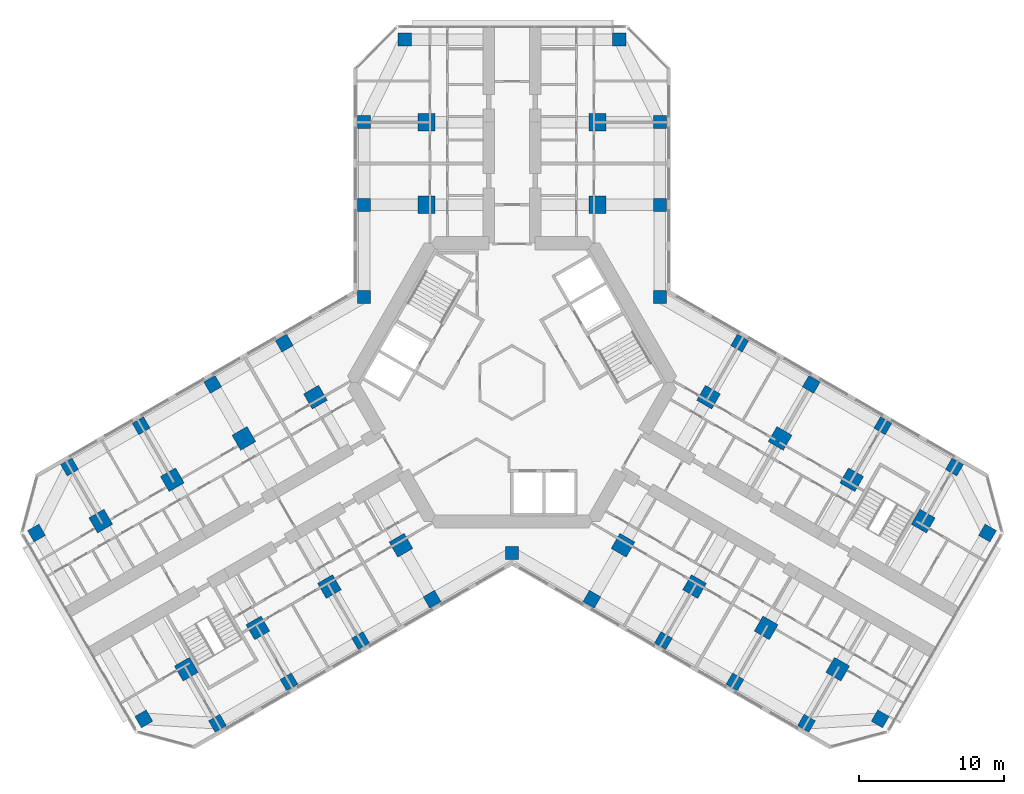
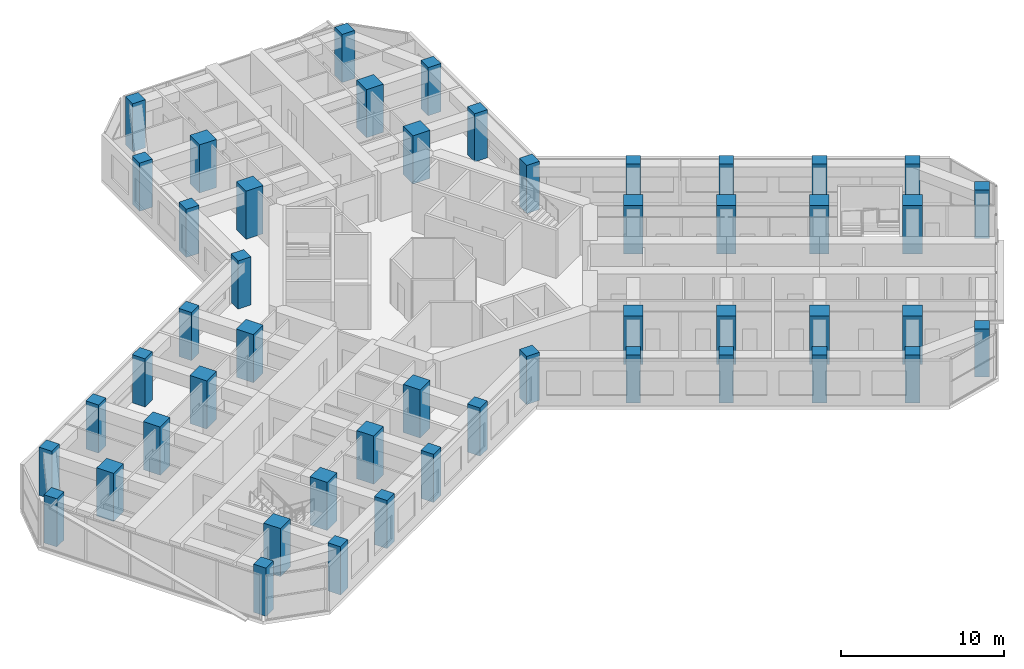
# One storey, part 1 of 19: 49 columns.
"""IFC4 building model written with IfcOpenShell, lengths in metres."""

from ifc_helpers import new_model, si_unit, direction, frame, origin, origin_2d, place, context, subcontext, project, spatial, rectangle, extrude, material, material_profile, profile_set, type_object, element, save


model = new_model("IFC4")

# Units and contexts
model_context = context("Model", 3, precision=1e-05, world=origin(), true_north=direction((0.0, 1.0)))
body_context = subcontext(model_context, "Body", "Model", "MODEL_VIEW")
ifc_project = project(units=[si_unit("LENGTHUNIT", "METRE"), si_unit("AREAUNIT", "SQUARE_METRE"), si_unit("VOLUMEUNIT", "CUBIC_METRE"), si_unit("PLANEANGLEUNIT", "RADIAN"), si_unit("MASSUNIT", "GRAM", prefix="KILO")], contexts=[model_context])

# Site, building, storey
site_placement = place(None, origin())
site = spatial("IfcSite", under=ifc_project, at=site_placement, CompositionType="ELEMENT")
building_placement = place(site_placement, origin())
building = spatial("IfcBuilding", under=site, at=building_placement, Name="Kosmar Iwan School Tower", CompositionType="ELEMENT")
storey_placement = place(building_placement, frame((0.0, 0.0, 172.39990234375)))
storey = spatial("IfcBuildingStorey", under=building, at=storey_placement, Name="L43", CompositionType="ELEMENT", Elevation=172.39990234375)

# Columns
ifc_material_1 = material(Name="Concrete C50/60", Category="concrete")
ifc_material_profile_1 = material_profile(ifc_material_1, rectangle(XDim=0.89990234375, YDim=0.89990234375, at=origin_2d()), Name="RC 900x900 + HD 400x347")
ifc_profile_set_1 = profile_set([ifc_material_profile_1], Name="Concrete C50/60")
column_type_1 = type_object("IfcColumnType", Name="Composite column 900x900 HD 400x347", PredefinedType="COLUMN", material=ifc_profile_set_1)
for number, where, z_axis, x_axis, name in (
    (1, (-10.199951171875, 12.25, 0.0), (0.0, 0.0, 1.0), (0.0, 1.0, 0.0), "Column AL1 L43"),
    (2, (-10.199951171875, 17.949951171875, 0.0), (0.0, 0.0, 1.0), (0.0, 1.0, 0.0), "Column AL2 L43"),
    (3, (-7.39990234375, 23.64990234375, 0.0), (0.0, 0.0, 1.0), (0.0, 1.0, 0.0), "Column ALTIP L43"),
    (4, (10.199951171875, 12.25, 0.0), (0.0, 0.0, 1.0), (0.0, 1.0, 0.0), "Column AR1 L43"),
    (5, (10.199951171875, 17.949951171875, 0.0), (0.0, 0.0, 1.0), (0.0, 1.0, 0.0), "Column AR2 L43"),
    (6, (7.39990234375, 23.64990234375, 0.0), (0.0, 0.0, 1.0), (0.0, 1.0, 0.0), "Column ARTIP L43"),
    (7, (-5.5087890625, -14.95849609375, 0.0), (0.0, 0.0, 1.0), (-0.866025403784, -0.5, 0.0), "Column BL1 L43"),
    (8, (-10.445068359375, -17.808349609375, 0.0), (0.0, 0.0, 1.0), (-0.866025403784, -0.5, 0.0), "Column BL2 L43"),
    (9, (-15.381591796875, -20.658447265625, 0.0), (0.0, 0.0, 1.0), (-0.866025403784, -0.5, 0.0), "Column BL3 L43"),
    (10, (-20.31787109375, -23.508544921875, 0.0), (0.0, 0.0, 1.0), (-0.866025403784, -0.5, 0.0), "Column BL4 L43"),
    (11, (-25.3984375, -23.20849609375, 0.0), (0.0, 0.0, 1.0), (-0.866025403784, -0.5, 0.0), "Column BLTIP L43"),
    (12, (-15.708740234375, 2.70849609375, 0.0), (0.0, 0.0, 1.0), (-0.866025403784, -0.5, 0.0), "Column BR1 L43"),
    (13, (-20.645263671875, -0.1416015625, 0.0), (0.0, 0.0, 1.0), (-0.866025403784, -0.5, 0.0), "Column BR2 L43"),
    (14, (-25.58154296875, -2.991455078125, 0.0), (0.0, 0.0, 1.0), (-0.866025403784, -0.5, 0.0), "Column BR3 L43"),
    (15, (-30.517822265625, -5.841552734375, 0.0), (0.0, 0.0, 1.0), (-0.866025403784, -0.5, 0.0), "Column BR4 L43"),
    (16, (-32.79833984375, -10.391357421875, 0.0), (0.0, 0.0, 1.0), (-0.866025403784, -0.5, 0.0), "Column BRTIP L43"),
    (17, (15.708740234375, 2.70849609375, 0.0), (0.0, 0.0, 1.0), (0.866025403784, -0.5, 0.0), "Column CL1 L43"),
    (18, (20.645263671875, -0.1416015625, 0.0), (0.0, 0.0, 1.0), (0.866025403784, -0.5, 0.0), "Column CL2 L43"),
    (19, (25.58154296875, -2.991455078125, 0.0), (0.0, 0.0, 1.0), (0.866025403784, -0.5, 0.0), "Column CL3 L43"),
    (20, (30.517822265625, -5.841552734375, 0.0), (0.0, 0.0, 1.0), (0.866025403784, -0.5, 0.0), "Column CL4 L43"),
    (21, (32.79833984375, -10.391357421875, 0.0), (0.0, 0.0, 1.0), (0.866025403784, -0.5, 0.0), "Column CLTIP L43"),
    (22, (5.5087890625, -14.95849609375, 0.0), (0.0, 0.0, 1.0), (0.866025403784, -0.5, 0.0), "Column CR1 L43"),
    (23, (10.445068359375, -17.808349609375, 0.0), (0.0, 0.0, 1.0), (0.866025403784, -0.5, 0.0), "Column CR2 L43"),
    (24, (15.381591796875, -20.658447265625, 0.0), (0.0, 0.0, 1.0), (0.866025403784, -0.5, 0.0), "Column CR3 L43"),
    (25, (20.31787109375, -23.508544921875, 0.0), (0.0, 0.0, 1.0), (0.866025403784, -0.5, 0.0), "Column CR4 L43"),
    (26, (25.3984375, -23.20849609375, 0.0), (0.0, 0.0, 1.0), (0.866025403784, -0.5, 0.0), "Column CRTIP L43"),
    (27, (-10.199951171875, 5.888916015625, 0.0), (0.0, 0.0, 1.0), (1.0, 0.0, 0.0), "Column RAB L43"),
    (28, (10.199951171875, 5.888916015625, 0.0), (0.0, 0.0, 1.0), (1.0, 0.0, 0.0), "Column RAC L43"),
    (29, (0.0, -11.77783203125, 0.0), (0.0, 0.0, 1.0), (1.0, 0.0, 0.0), "Column RBC L43"),
):
    element("IfcColumn", number, at=place(storey_placement, frame(where, z_axis=z_axis, x_axis=x_axis)), inside=storey, type_object=column_type_1, Name=name, PredefinedType="COLUMN", context=body_context, shape_type="SweptSolid", body=[
        extrude(rectangle(XDim=0.89990234375, YDim=0.89990234375, at=origin_2d()), origin(), (0.0, 0.0, 1.0), 3.60009765625),
    ])
ifc_material_2 = material(Name="Concrete C50/60", Category="concrete")
ifc_material_profile_2 = material_profile(ifc_material_2, rectangle(XDim=1.199951171875, YDim=1.199951171875, at=origin_2d()), Name="RC 1200x1200")
ifc_profile_set_2 = profile_set([ifc_material_profile_2], Name="Concrete C50/60")
column_type_2 = type_object("IfcColumnType", Name="RC interior column 1200x1200", PredefinedType="COLUMN", material=ifc_profile_set_2)
for number, where, z_axis, x_axis, name in (
    (30, (-5.89990234375, 12.25, 0.0), (0.0, 0.0, 1.0), (0.0, 1.0, 0.0), "Interior column ALI1 L43"),
    (31, (-5.89990234375, 17.949951171875, 0.0), (0.0, 0.0, 1.0), (0.0, 1.0, 0.0), "Interior column ALI2 L43"),
    (32, (5.89990234375, 12.25, 0.0), (0.0, 0.0, 1.0), (0.0, 1.0, 0.0), "Interior column ARI1 L43"),
    (33, (5.89990234375, 17.949951171875, 0.0), (0.0, 0.0, 1.0), (0.0, 1.0, 0.0), "Interior column ARI2 L43"),
    (34, (-7.65869140625, -11.234619140625, 0.0), (0.0, 0.0, 1.0), (-0.866025403784, -0.5, 0.0), "Interior column BLI1 L43"),
    (35, (-12.59521484375, -14.08447265625, 0.0), (0.0, 0.0, 1.0), (-0.866025403784, -0.5, 0.0), "Interior column BLI2 L43"),
    (36, (-17.531494140625, -16.9345703125, 0.0), (0.0, 0.0, 1.0), (-0.866025403784, -0.5, 0.0), "Interior column BLI3 L43"),
    (37, (-22.4677734375, -19.78466796875, 0.0), (0.0, 0.0, 1.0), (-0.866025403784, -0.5, 0.0), "Interior column BLI4 L43"),
    (38, (-13.558837890625, -1.015380859375, 0.0), (0.0, 0.0, 1.0), (-0.866025403784, -0.5, 0.0), "Interior column BRI1 L43"),
    (39, (-18.4951171875, -3.865478515625, 0.0), (0.0, 0.0, 1.0), (-0.866025403784, -0.5, 0.0), "Interior column BRI2 L43"),
    (40, (-23.431396484375, -6.71533203125, 0.0), (0.0, 0.0, 1.0), (-0.866025403784, -0.5, 0.0), "Interior column BRI3 L43"),
    (41, (-28.367919921875, -9.5654296875, 0.0), (0.0, 0.0, 1.0), (-0.866025403784, -0.5, 0.0), "Interior column BRI4 L43"),
    (42, (13.558837890625, -1.015380859375, 0.0), (0.0, 0.0, 1.0), (0.866025403784, -0.5, 0.0), "Interior column CLI1 L43"),
    (43, (18.4951171875, -3.865478515625, 0.0), (0.0, 0.0, 1.0), (0.866025403784, -0.5, 0.0), "Interior column CLI2 L43"),
    (44, (23.431396484375, -6.71533203125, 0.0), (0.0, 0.0, 1.0), (0.866025403784, -0.5, 0.0), "Interior column CLI3 L43"),
    (45, (28.367919921875, -9.5654296875, 0.0), (0.0, 0.0, 1.0), (0.866025403784, -0.5, 0.0), "Interior column CLI4 L43"),
    (46, (7.65869140625, -11.234619140625, 0.0), (0.0, 0.0, 1.0), (0.866025403784, -0.5, 0.0), "Interior column CRI1 L43"),
    (47, (12.59521484375, -14.08447265625, 0.0), (0.0, 0.0, 1.0), (0.866025403784, -0.5, 0.0), "Interior column CRI2 L43"),
    (48, (17.531494140625, -16.9345703125, 0.0), (0.0, 0.0, 1.0), (0.866025403784, -0.5, 0.0), "Interior column CRI3 L43"),
    (49, (22.4677734375, -19.78466796875, 0.0), (0.0, 0.0, 1.0), (0.866025403784, -0.5, 0.0), "Interior column CRI4 L43"),
):
    element("IfcColumn", number, at=place(storey_placement, frame(where, z_axis=z_axis, x_axis=x_axis)), inside=storey, type_object=column_type_2, Name=name, PredefinedType="COLUMN", context=body_context, shape_type="SweptSolid", body=[
        extrude(rectangle(XDim=1.199951171875, YDim=1.199951171875, at=origin_2d()), origin(), (0.0, 0.0, 1.0), 3.60009765625),
    ])

save(model, "model.ifc")
